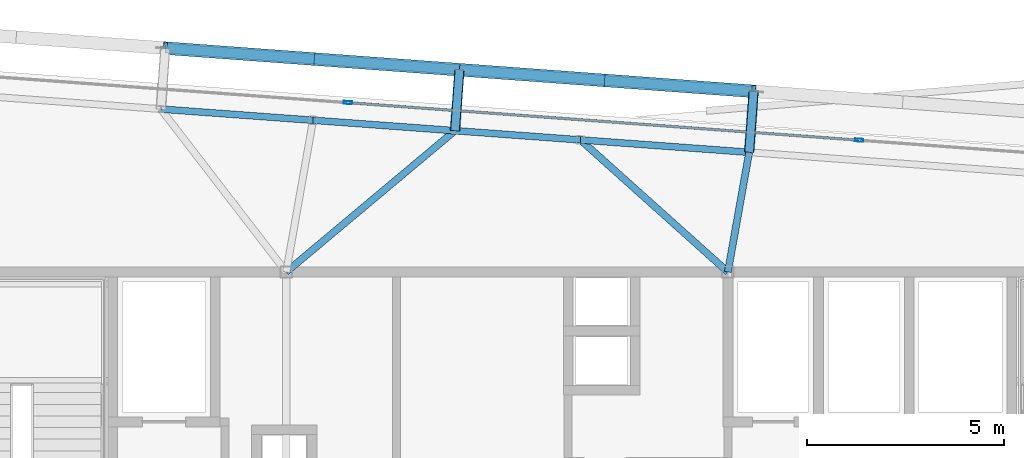
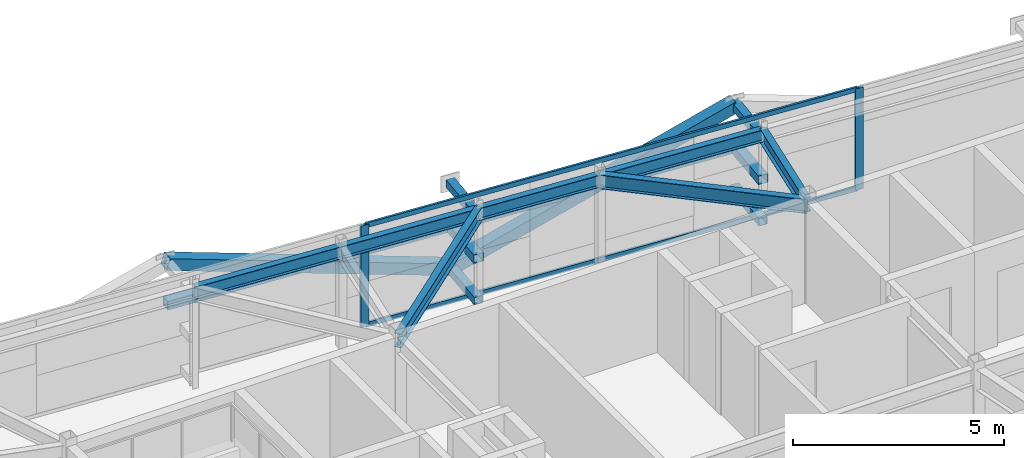
# One storey, part 22 of 37: 16 members, 7 beams, 1 element without a shape of its own.
"""IFC4 building model written with IfcOpenShell, lengths in metres."""

from ifc_helpers import new_model, si_unit, direction, frame, origin, origin_2d, place, context, subcontext, project, spatial, hollow_rectangle, i_section, extrude, source, transform, mapped, material, layer, layer_set, material_profile, profile_set, type_object, element, aggregate, save


model = new_model("IFC4")

# Units and contexts
model_context = context("Model", 3, precision=1e-05, world=origin(), true_north=direction((0.0, 1.0)))
body_context = subcontext(model_context, "Body", "Model", "MODEL_VIEW")
ifc_project = project(units=[si_unit("LENGTHUNIT", "METRE"), si_unit("AREAUNIT", "SQUARE_METRE"), si_unit("VOLUMEUNIT", "CUBIC_METRE"), si_unit("PLANEANGLEUNIT", "RADIAN"), si_unit("MASSUNIT", "GRAM", prefix="KILO")], contexts=[model_context])

# Site, building, storey
site_placement = place(None, origin())
site = spatial("IfcSite", under=ifc_project, at=site_placement, CompositionType="ELEMENT")
building_placement = place(site_placement, origin())
building = spatial("IfcBuilding", under=site, at=building_placement, Name="Taldren Reach Tower", CompositionType="ELEMENT")
storey_placement = place(building_placement, frame((0.0, 0.0, 211.39990234375)))
storey = spatial("IfcBuildingStorey", under=building, at=storey_placement, Name="L64", CompositionType="ELEMENT", Elevation=211.39990234375)

# Members
ifc_material_1 = material(Name="Steel Gr 350 (C350L0)", Category="steel")
ifc_material_profile_1 = material_profile(ifc_material_1, hollow_rectangle(XDim=0.25, YDim=0.25, WallThickness=0.010009765625, at=origin_2d()), Name="250x250x10.0SHS")
ifc_profile_set_1 = profile_set([ifc_material_profile_1], Name="Steel Gr 350 (C350L0)")
member_type_1 = type_object("IfcMemberType", Name="MB-POST250", PredefinedType="POST", material=ifc_profile_set_1)
shared_shape_1 = source(origin(), body_context, "Body", "SweptSolid", [
    extrude(hollow_rectangle(XDim=0.25, YDim=0.25, WallThickness=0.010009765625, at=origin_2d()), origin(), (0.0, 0.0, 1.0), 1.550048828125),
])
for number, where, z_axis, x_axis, name in (
    (1, (32.279541015625, 35.583251953125, 1.43505859375), (0.07323929162, 0.997314396849, 0.0), (-0.997314396849, 0.07323929162, 0.0), "Exoskeleton mid-tier diaphragm tie B5-N3 L64"),
    (2, (39.739501953125, 35.035400390625, 1.43505859375), (0.07323929162, 0.997314396849, 0.0), (-0.997314396849, 0.07323929162, 0.0), "Exoskeleton mid-tier diaphragm tie B5-N4 L64"),
):
    element("IfcMember", number, at=place(storey_placement, frame(where, z_axis=z_axis, x_axis=x_axis)), inside=storey, type_object=member_type_1, Name=name, PredefinedType="POST", context=body_context, shape_type="MappedRepresentation", body=[
        mapped(shared_shape_1, transform((0.0, 0.0, 0.0), scale=1.0)),
    ])
ifc_material_2 = material(Name="Steel Gr 450 (C450L0)", Category="steel")
ifc_material_profile_2 = material_profile(ifc_material_2, hollow_rectangle(XDim=0.219970703125, YDim=0.219970703125, WallThickness=0.00830078125, at=origin_2d()), Name="220x220x8.2SHS")
ifc_profile_set_2 = profile_set([ifc_material_profile_2], Name="Steel Gr 450 (C450L0)")
member_type_2 = type_object("IfcMemberType", Name="MB-TIE219", PredefinedType="STRUT", material=ifc_profile_set_2)
shared_shape_2 = source(origin(), body_context, "Body", "SweptSolid", [
    extrude(hollow_rectangle(XDim=0.219970703125, YDim=0.219970703125, WallThickness=0.00830078125, at=origin_2d()), origin(), (0.0, 0.0, 1.0), 1.550048828125),
])
for number, where, z_axis, x_axis, name in (
    (3, (32.279541015625, 35.583251953125, 2.650146484375), (0.07323929162, 0.997314396849, 0.0), (-0.997314396849, 0.07323929162, 0.0), "Exoskeleton diaphragm tie strut B5-N3 L64"),
    (4, (32.279541015625, 35.583251953125, 0.22021484375), (0.07323929162, 0.997314396849, 0.0), (-0.997314396849, 0.07323929162, 0.0), "Exoskeleton base diaphragm tie strut B5-N3 L64"),
    (5, (39.739501953125, 35.035400390625, 2.650146484375), (0.07323929162, 0.997314396849, 0.0), (-0.997314396849, 0.07323929162, 0.0), "Exoskeleton diaphragm tie strut B5-N4 L64"),
    (6, (39.739501953125, 35.035400390625, 0.22021484375), (0.07323929162, 0.997314396849, 0.0), (-0.997314396849, 0.07323929162, 0.0), "Exoskeleton base diaphragm tie strut B5-N4 L64"),
):
    element("IfcMember", number, at=place(storey_placement, frame(where, z_axis=z_axis, x_axis=x_axis)), inside=storey, type_object=member_type_2, Name=name, PredefinedType="STRUT", context=body_context, shape_type="MappedRepresentation", body=[
        mapped(shared_shape_2, transform((0.0, 0.0, 0.0), scale=1.0)),
    ])

# Beams
ifc_material_3 = material(Name="Steel Gr 350 (350PLUS)", Category="steel")
ifc_material_profile_3 = material_profile(ifc_material_3, i_section(OverallWidth=0.172119140625, OverallDepth=0.35888671875, WebThickness=0.008056640625, FlangeThickness=0.012939453125, at=origin_2d()), Name="360UB56.7")
ifc_profile_set_3 = profile_set([ifc_material_profile_3], Name="Steel Gr 350 (350PLUS)")
beam_type_1 = type_object("IfcBeamType", Name="SP-UB360", PredefinedType="SPANDREL", material=ifc_profile_set_3)
shared_shape_3 = source(origin(), body_context, "Body", "SweptSolid", [
    extrude(i_section(OverallWidth=0.172119140625, OverallDepth=0.35888671875, WebThickness=0.008056640625, FlangeThickness=0.012939453125, at=origin_2d()), origin(), (0.0, 0.0, 1.0), 4.2900390625),
])
beam_1_placement = place(storey_placement, frame((39.739501953125, 35.035400390625, 2.75048828125), z_axis=(-0.997314292471, 0.073240712948, 0.0), x_axis=(-0.073240712948, -0.997314292471, 0.0)))
element("IfcBeam", 7, at=beam_1_placement, inside=storey, type_object=beam_type_1, Name="Perimeter spandrel B5 N4-PJN2 L64", PredefinedType="SPANDREL", context=body_context, shape_type="MappedRepresentation", body=[
    mapped(shared_shape_3, transform((0.0, 0.0, 0.0), scale=1.0)),
])
shared_shape_4 = source(origin(), body_context, "Body", "SweptSolid", [
    extrude(i_section(OverallWidth=0.172119140625, OverallDepth=0.35888671875, WebThickness=0.008056640625, FlangeThickness=0.012939453125, at=origin_2d()), origin(), (0.0, 0.0, 1.0), 3.18994140625),
])
beam_2_placement = place(storey_placement, frame((35.4609375, 35.349609375, 2.75048828125), z_axis=(-0.99731412404, 0.073243006424, 0.0), x_axis=(-0.073243006424, -0.99731412404, 0.0)))
element("IfcBeam", 8, at=beam_2_placement, inside=storey, type_object=beam_type_1, Name="Perimeter spandrel B5 PJN2-N3 L64", PredefinedType="SPANDREL", context=body_context, shape_type="MappedRepresentation", body=[
    mapped(shared_shape_4, transform((0.0, 0.0, 0.0), scale=1.0)),
])
shared_shape_5 = source(origin(), body_context, "Body", "SweptSolid", [
    extrude(i_section(OverallWidth=0.172119140625, OverallDepth=0.35888671875, WebThickness=0.008056640625, FlangeThickness=0.012939453125, at=origin_2d()), origin(), (0.0, 0.0, 1.0), 3.610107421875),
])
beam_3_placement = place(storey_placement, frame((32.279541015625, 35.583251953125, 2.75048828125), z_axis=(-0.997314240042, 0.073241426864, 0.0), x_axis=(-0.073241426864, -0.997314240042, 0.0)))
element("IfcBeam", 9, at=beam_3_placement, inside=storey, type_object=beam_type_1, Name="Perimeter spandrel B5 N3-PJN1 L64", PredefinedType="SPANDREL", context=body_context, shape_type="MappedRepresentation", body=[
    mapped(shared_shape_5, transform((0.0, 0.0, 0.0), scale=1.0)),
])
shared_shape_6 = source(origin(), body_context, "Body", "SweptSolid", [
    extrude(i_section(OverallWidth=0.172119140625, OverallDepth=0.35888671875, WebThickness=0.008056640625, FlangeThickness=0.012939453125, at=origin_2d()), origin(), (0.0, 0.0, 1.0), 3.8701171875),
])
beam_4_placement = place(storey_placement, frame((28.67919921875, 35.84765625, 2.75048828125), z_axis=(-0.997314202545, 0.073241937451, 0.0), x_axis=(-0.073241937451, -0.997314202545, 0.0)))
element("IfcBeam", 10, at=beam_4_placement, inside=storey, type_object=beam_type_1, Name="Perimeter spandrel B5 PJN1-N2 L64", PredefinedType="SPANDREL", context=body_context, shape_type="MappedRepresentation", body=[
    mapped(shared_shape_6, transform((0.0, 0.0, 0.0), scale=1.0)),
])
ifc_material_profile_4 = material_profile(ifc_material_3, i_section(OverallWidth=0.177978515625, OverallDepth=0.406005859375, WebThickness=0.0078125, FlangeThickness=0.0126953125, at=origin_2d()), Name="410UB59.7")
ifc_profile_set_4 = profile_set([ifc_material_profile_4], Name="Steel Gr 350 (350PLUS)")
beam_type_2 = type_object("IfcBeamType", Name="BM-UB410", PredefinedType="BEAM", material=ifc_profile_set_4)
shared_shape_7 = source(origin(), body_context, "Body", "SweptSolid", [
    extrude(i_section(OverallWidth=0.177978515625, OverallDepth=0.406005859375, WebThickness=0.0078125, FlangeThickness=0.0126953125, at=origin_2d()), origin(), (0.0, 0.0, 1.0), 3.0830078125),
])
beam_5_placement = place(storey_placement, frame((39.199951171875, 32.0, 2.72705078125), z_axis=(0.17500945263, 0.984566753191, 0.0), x_axis=(-0.984566753191, 0.17500945263, 0.0)))
element("IfcBeam", 11, at=beam_5_placement, inside=storey, type_object=beam_type_2, Name="Primary floor girder B5-N4 L64", PredefinedType="BEAM", context=body_context, shape_type="MappedRepresentation", body=[
    mapped(shared_shape_7, transform((0.0, 0.0, 0.0), scale=1.0)),
])
shared_shape_8 = source(origin(), body_context, "Body", "SweptSolid", [
    extrude(i_section(OverallWidth=0.177978515625, OverallDepth=0.406005859375, WebThickness=0.0078125, FlangeThickness=0.0126953125, at=origin_2d()), origin(), (0.0, 0.0, 1.0), 5.02001953125),
])
beam_6_placement = place(storey_placement, frame((39.199951171875, 32.0, 2.72705078125), z_axis=(-0.744827782377, 0.667256753132, 0.0), x_axis=(-0.667256753132, -0.744827782377, 0.0)))
element("IfcBeam", 12, at=beam_6_placement, inside=storey, type_object=beam_type_2, Name="Primary floor girder B5-PJN2 L64", PredefinedType="BEAM", context=body_context, shape_type="MappedRepresentation", body=[
    mapped(shared_shape_8, transform((0.0, 0.0, 0.0), scale=1.0)),
])
shared_shape_9 = source(origin(), body_context, "Body", "SweptSolid", [
    extrude(i_section(OverallWidth=0.177978515625, OverallDepth=0.406005859375, WebThickness=0.0078125, FlangeThickness=0.0126953125, at=origin_2d()), origin(), (0.0, 0.0, 1.0), 5.58154296875),
])
beam_7_placement = place(storey_placement, frame((28.0, 32.0, 2.72705078125), z_axis=(0.766724126108, 0.641976724222, 0.0), x_axis=(-0.641976724222, 0.766724126108, 0.0)))
element("IfcBeam", 13, at=beam_7_placement, inside=storey, type_object=beam_type_2, Name="Primary floor girder B5-N3 L64", PredefinedType="BEAM", context=body_context, shape_type="MappedRepresentation", body=[
    mapped(shared_shape_9, transform((0.0, 0.0, 0.0), scale=1.0)),
])

# Members
ifc_material_profile_5 = material_profile(ifc_material_2, hollow_rectangle(XDim=0.324951171875, YDim=0.324951171875, WallThickness=0.0126953125, at=origin_2d()), Name="325x325x12.7SHS")
ifc_profile_set_5 = profile_set([ifc_material_profile_5], Name="Steel Gr 450 (C450L0)")
member_type_3 = type_object("IfcMemberType", Name="MB-BR324", PredefinedType="BRACE", material=ifc_profile_set_5)
shared_shape_10 = source(origin(), body_context, "Body", "SweptSolid", [
    extrude(hollow_rectangle(XDim=0.324951171875, YDim=0.324951171875, WallThickness=0.0126953125, at=origin_2d()), origin(), (0.0, 0.0, 1.0), 3.932373046875),
])
for number, where, z_axis, x_axis, name in (
    (14, (32.39306640625, 37.129150390625, 0.22021484375), (-0.948529326954, 0.06965898055, 0.308933232813), (-0.07324169103, -0.997314220642, 0.0), "Exoskeleton Diagrid Brace B5-N2 L64"),
    (15, (28.6630859375, 37.403076171875, 1.43505859375), (-0.948511132845, 0.069657644394, 0.308989390507), (-0.07324169103, -0.997314220642, 0.0), "Exoskeleton Diagrid Brace B5-N2 L64"),
    (16, (32.39306640625, 37.129150390625, 0.22021484375), (0.948529326954, -0.06965898055, 0.308933232813), (0.07324169103, 0.997314220642, 0.0), "Exoskeleton Diagrid Brace B5-N3 L64"),
    (17, (36.123046875, 36.855224609375, 1.43505859375), (0.948511132845, -0.069657644394, 0.308989390507), (0.07324169103, 0.997314220642, 0.0), "Exoskeleton Diagrid Brace B5-N3 L64"),
):
    element("IfcMember", number, at=place(storey_placement, frame(where, z_axis=z_axis, x_axis=x_axis)), inside=storey, type_object=member_type_3, Name=name, PredefinedType="BRACE", context=body_context, shape_type="MappedRepresentation", body=[
        mapped(shared_shape_10, transform((0.0, 0.0, 0.0), scale=1.0)),
    ])
shared_shape_11 = source(origin(), body_context, "Body", "SweptSolid", [
    extrude(hollow_rectangle(XDim=0.25, YDim=0.25, WallThickness=0.010009765625, at=origin_2d()), origin(), (0.0, 0.0, 1.0), 7.47998046875),
])
for number, where, z_axis, x_axis, name in (
    (18, (24.93310546875, 37.677001953125, 1.43505859375), (0.997314220642, -0.07324169103, 0.0), (0.07324169103, 0.997314220642, 0.0), "Exoskeleton mid-height ring chord B5-N2 L64"),
    (19, (32.39306640625, 37.129150390625, 1.43505859375), (0.997314220642, -0.07324169103, 0.0), (0.07324169103, 0.997314220642, 0.0), "Exoskeleton mid-height ring chord B5-N3 L64"),
):
    element("IfcMember", number, at=place(storey_placement, frame(where, z_axis=z_axis, x_axis=x_axis)), inside=storey, type_object=member_type_1, Name=name, PredefinedType="POST", context=body_context, shape_type="MappedRepresentation", body=[
        mapped(shared_shape_11, transform((0.0, 0.0, 0.0), scale=1.0)),
    ])

# Curtain wall, members
ifc_material_4 = material(Name="Aluminium and Low-E Glass Unitised System", Category="aluminium")
ifc_layer = layer(ifc_material_4, 0.159912109375)
ifc_layer_set = layer_set([ifc_layer], Name="Aluminium and Low-E Glass Unitised System")
curtain_wall_type = type_object("IfcCurtainWallType", Name="CW-SYS-6", PredefinedType="NOTDEFINED", material=ifc_layer_set)
curtain_wall_placement = place(storey_placement, origin())
curtain_wall = element("IfcCurtainWall", 20, at=curtain_wall_placement, inside=storey, type_object=curtain_wall_type, Name="Unitised curtain wall CW-L64-N", PredefinedType="NOTDEFINED")
ifc_material_5 = material(Name="Anodised Aluminium 6063-T6", Category="aluminium")
ifc_material_profile_6 = material_profile(ifc_material_5, hollow_rectangle(XDim=0.074951171875, YDim=0.2099609375, WallThickness=0.00439453125, at=origin_2d()), Name="ALU-210x75x4.5RHS")
ifc_profile_set_6 = profile_set([ifc_material_profile_6], Name="Anodised Aluminium 6063-T6")
member_type_4 = type_object("IfcMemberType", Name="CW-MUL-200", PredefinedType="MULLION", material=ifc_profile_set_6)
shared_shape_12 = source(origin(), body_context, "Body", "SweptSolid", [
    extrude(hollow_rectangle(XDim=0.074951171875, YDim=0.2099609375, WallThickness=0.00439453125, at=origin_2d()), origin(), (0.0, 0.0, 1.0), 2.93017578125),
])
member_1_placement = place(storey_placement, frame((42.529541015625, 35.341796875, 0.0), z_axis=(0.0, 0.0, 1.0), x_axis=(-0.073238213716, -0.997314476006, 0.0)))
member_1 = element("IfcMember", 21, at=member_1_placement, type_object=member_type_4, Name="CW-6 mullion 2", PredefinedType="MULLION", context=body_context, shape_type="MappedRepresentation", body=[
    mapped(shared_shape_12, transform((0.0, 0.0, 0.0), scale=1.0)),
])
member_2_placement = place(storey_placement, frame((29.564453125, 36.2939453125, 0.0), z_axis=(0.0, 0.0, 1.0), x_axis=(-0.073238213716, -0.997314476006, 0.0)))
member_2 = element("IfcMember", 22, at=member_2_placement, type_object=member_type_4, Name="CW-6 mullion 3", PredefinedType="MULLION", context=body_context, shape_type="MappedRepresentation", body=[
    mapped(shared_shape_12, transform((0.0, 0.0, 0.0), scale=1.0)),
])
ifc_material_profile_7 = material_profile(ifc_material_5, hollow_rectangle(XDim=0.06005859375, YDim=0.135009765625, WallThickness=0.00341796875, at=origin_2d()), Name="ALU-135x60x3.5RHS")
ifc_profile_set_7 = profile_set([ifc_material_profile_7], Name="Anodised Aluminium 6063-T6")
member_type_5 = type_object("IfcMemberType", Name="CW-TRN-150", PredefinedType="USERDEFINED", material=ifc_profile_set_7)
shared_shape_13 = source(origin(), body_context, "Body", "SweptSolid", [
    extrude(hollow_rectangle(XDim=0.06005859375, YDim=0.135009765625, WallThickness=0.00341796875, at=origin_2d()), origin(), (0.0, 0.0, 1.0), 12.9248046875),
])
member_3_placement = place(storey_placement, frame((42.491943359375, 35.3447265625, 0.030029296875), z_axis=(-0.997314812144, 0.073233636249, 0.0), x_axis=(-0.073233636249, -0.997314812144, 0.0)))
member_3 = element("IfcMember", 23, at=member_3_placement, type_object=member_type_5, Name="CW-6 transom 2.1", ObjectType="TRANSOM", PredefinedType="USERDEFINED", context=body_context, shape_type="MappedRepresentation", body=[
    mapped(shared_shape_13, transform((0.0, 0.0, 0.0), scale=1.0)),
])
member_4_placement = place(storey_placement, frame((42.491943359375, 35.3447265625, 2.900146484375), z_axis=(-0.997314812144, 0.073233636249, 0.0), x_axis=(-0.073233636249, -0.997314812144, 0.0)))
member_4 = element("IfcMember", 24, at=member_4_placement, type_object=member_type_5, Name="CW-6 transom 2.2", ObjectType="TRANSOM", PredefinedType="USERDEFINED", context=body_context, shape_type="MappedRepresentation", body=[
    mapped(shared_shape_13, transform((0.0, 0.0, 0.0), scale=1.0)),
])
aggregate(curtain_wall, [member_1, member_2, member_3, member_4])

save(model, "model.ifc")
